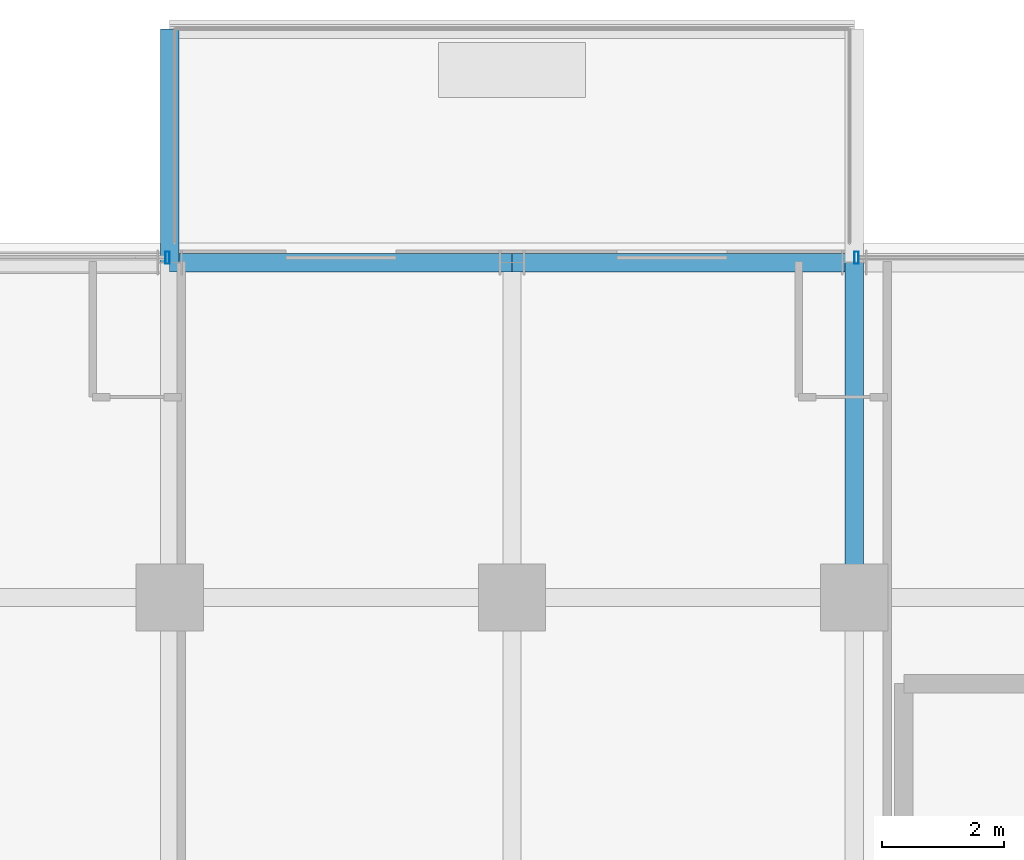
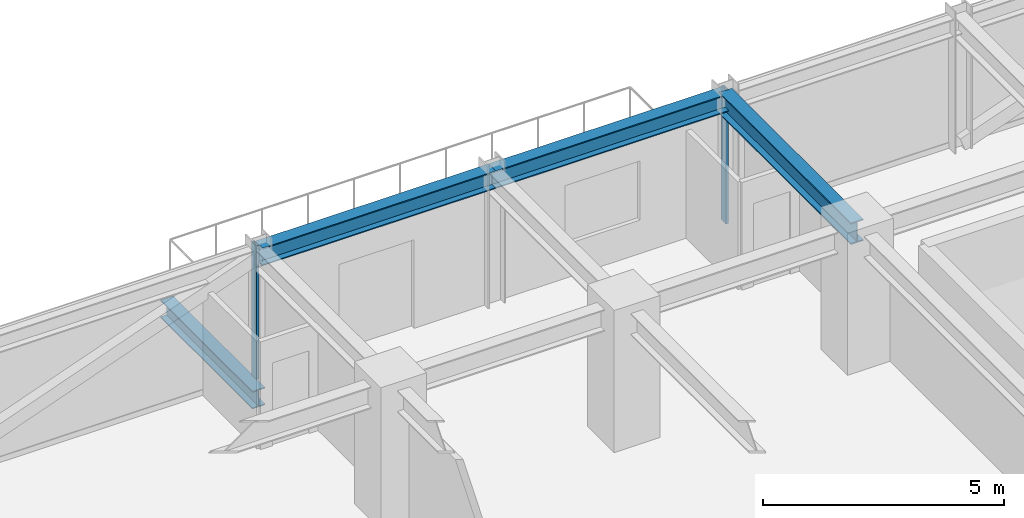
# One storey, part 26 of 43: 4 beams, 2 members, 2 elements without a shape of their own.
"""IFC4 building model written with IfcOpenShell, lengths in metres."""

from ifc_helpers import new_model, si_unit, direction, frame, origin, origin_2d, place, context, subcontext, project, spatial, hollow_rectangle, i_section, extrude, source, transform, mapped, material, material_profile, profile_set, type_object, element, aggregate, save


model = new_model("IFC4")

# Units and contexts
model_context = context("Model", 3, precision=1e-05, world=origin(), true_north=direction((0.0, 1.0)))
body_context = subcontext(model_context, "Body", "Model", "MODEL_VIEW")
ifc_project = project(units=[si_unit("LENGTHUNIT", "METRE"), si_unit("AREAUNIT", "SQUARE_METRE"), si_unit("VOLUMEUNIT", "CUBIC_METRE"), si_unit("PLANEANGLEUNIT", "RADIAN"), si_unit("MASSUNIT", "GRAM", prefix="KILO")], contexts=[model_context])

# Site, building, storey
site_placement = place(None, origin())
site = spatial("IfcSite", under=ifc_project, at=site_placement, CompositionType="ELEMENT")
building_placement = place(site_placement, origin())
building = spatial("IfcBuilding", under=site, at=building_placement, Name="Nahalor Promenade Grand Hotel", CompositionType="ELEMENT")
storey_placement = place(building_placement, frame((0.0, 0.0, 181.85009765625)))
storey = spatial("IfcBuildingStorey", under=building, at=storey_placement, Name="L46", CompositionType="ELEMENT", Elevation=181.85009765625)

# Beams
ifc_material_1 = material(Name="Steel S355JR", Category="steel")
ifc_material_profile_1 = material_profile(ifc_material_1, i_section(OverallWidth=0.3, OverallDepth=0.45, WebThickness=0.014, FlangeThickness=0.026, at=origin_2d()), Name="HEB 450")
ifc_profile_set_1 = profile_set([ifc_material_profile_1], Name="Steel S355JR")
beam_type_1 = type_object("IfcBeamType", Name="Beam-Outrigger-HEB450", PredefinedType="BEAM", material=ifc_profile_set_1)
shared_shape_1 = source(origin(), body_context, "Body", "SweptSolid", [
    extrude(i_section(OverallWidth=0.3, OverallDepth=0.45, WebThickness=0.014, FlangeThickness=0.026, at=origin_2d()), origin(), (0.0, 0.0, 1.0), 3.820068359375),
])
beam_1_placement = place(storey_placement, frame((-8.39990234375, 22.47998046875, -0.505126953125), z_axis=(0.0, 1.0, 0.0), x_axis=(-1.0, 0.0, 0.0)))
element("IfcBeam", 1, at=beam_1_placement, inside=storey, type_object=beam_type_1, Name="BM-L46-BC-01-1", PredefinedType="BEAM", context=body_context, shape_type="MappedRepresentation", body=[
    mapped(shared_shape_1, transform((0.0, 0.0, 0.0), scale=1.0)),
])
ifc_material_profile_2 = material_profile(ifc_material_1, i_section(OverallWidth=0.3, OverallDepth=0.55, WebThickness=0.015, FlangeThickness=0.029, at=origin_2d()), Name="HEB 550")
ifc_profile_set_2 = profile_set([ifc_material_profile_2], Name="Steel S355JR")
beam_type_2 = type_object("IfcBeamType", Name="Beam-Girder-HEB550", PredefinedType="BEAM", material=ifc_profile_set_2)
shared_shape_2 = source(origin(), body_context, "Body", "SweptSolid", [
    extrude(i_section(OverallWidth=0.3, OverallDepth=0.55, WebThickness=0.015, FlangeThickness=0.029, at=origin_2d()), origin(), (0.0, 0.0, 1.0), 5.47998046875),
])
beam_2_placement = place(storey_placement, frame((2.800048828125, 17.0, 3.114990234375), z_axis=(0.0, 1.0, 0.0), x_axis=(-1.0, 0.0, 0.0)))
element("IfcBeam", 2, at=beam_2_placement, inside=storey, type_object=beam_type_2, Name="BM-L46-GY-3-4", PredefinedType="BEAM", context=body_context, shape_type="MappedRepresentation", body=[
    mapped(shared_shape_2, transform((0.0, 0.0, 0.0), scale=1.0)),
])
ifc_material_profile_3 = material_profile(ifc_material_1, i_section(OverallWidth=0.3, OverallDepth=0.45, WebThickness=0.014, FlangeThickness=0.026, at=origin_2d()), Name="HEB 450")
ifc_profile_set_3 = profile_set([ifc_material_profile_3], Name="Steel S355JR")
beam_type_3 = type_object("IfcBeamType", Name="Beam-Spandrel-HEB450", PredefinedType="SPANDREL", material=ifc_profile_set_3)
shared_shape_3 = source(origin(), body_context, "Body", "SweptSolid", [
    extrude(i_section(OverallWidth=0.3, OverallDepth=0.45, WebThickness=0.014, FlangeThickness=0.026, at=origin_2d()), origin(), (0.0, 0.0, 1.0), 5.599853515625),
])
beam_3_placement = place(storey_placement, frame((-8.39990234375, 22.47998046875, 3.164794921875), z_axis=(1.0, 0.0, 0.0), x_axis=(0.0, 1.0, 0.0)))
element("IfcBeam", 3, at=beam_3_placement, inside=storey, type_object=beam_type_3, Name="BM-L46-SP-N-1", PredefinedType="SPANDREL", context=body_context, shape_type="MappedRepresentation", body=[
    mapped(shared_shape_3, transform((0.0, 0.0, 0.0), scale=1.0)),
])
shared_shape_4 = source(origin(), body_context, "Body", "SweptSolid", [
    extrude(i_section(OverallWidth=0.3, OverallDepth=0.45, WebThickness=0.014, FlangeThickness=0.026, at=origin_2d()), origin(), (0.0, 0.0, 1.0), 5.60009765625),
])
beam_4_placement = place(storey_placement, frame((-2.800048828125, 22.47998046875, 3.164794921875), z_axis=(1.0, 0.0, 0.0), x_axis=(0.0, 1.0, 0.0)))
element("IfcBeam", 4, at=beam_4_placement, inside=storey, type_object=beam_type_3, Name="BM-L46-SP-N-2", PredefinedType="SPANDREL", context=body_context, shape_type="MappedRepresentation", body=[
    mapped(shared_shape_4, transform((0.0, 0.0, 0.0), scale=1.0)),
])

# Curtain wall, member
ifc_material_2 = material(Name="Anodised Bronze Aluminium EN AW-6063 T6", Category="aluminium")
curtain_wall_type = type_object("IfcCurtainWallType", Name="CW3 Elliptical-Void Collar Unitised Curtain Wall", PredefinedType="USERDEFINED", material=ifc_material_2)
curtain_wall_1_placement = place(storey_placement, origin())
curtain_wall_1 = element("IfcCurtainWall", 5, at=curtain_wall_1_placement, inside=storey, type_object=curtain_wall_type, Name="L46 Curtain Wall CW-L46-N-1", ObjectType="UNITISED_CURTAIN_WALL", PredefinedType="USERDEFINED")
ifc_material_profile_4 = material_profile(ifc_material_2, hollow_rectangle(XDim=0.07, YDim=0.2, WallThickness=0.005, at=origin_2d()), Name="CWM 70x200x5")
ifc_profile_set_4 = profile_set([ifc_material_profile_4], Name="Anodised Bronze Aluminium EN AW-6063 T6")
member_type = type_object("IfcMemberType", Name="CWM3 Void Collar Mullion 70x200", PredefinedType="MULLION", material=ifc_profile_set_4)
shared_shape_5 = source(origin(), body_context, "Body", "SweptSolid", [
    extrude(hollow_rectangle(XDim=0.07, YDim=0.2, WallThickness=0.005, at=origin_2d()), origin(), (0.0, 0.0, 1.0), 3.389892578125),
])
member_1_placement = place(storey_placement, frame((-8.43505859375, 22.56005859375, 0.0), z_axis=(0.0, 0.0, 1.0), x_axis=(1.0, 0.0, 0.0)))
member_1 = element("IfcMember", 6, at=member_1_placement, type_object=member_type, Name="CW-L46-N-1 Mullion 1", PredefinedType="MULLION", context=body_context, shape_type="MappedRepresentation", body=[
    mapped(shared_shape_5, transform((0.0, 0.0, 0.0), scale=1.0)),
])
aggregate(curtain_wall_1, [member_1])

curtain_wall_2_placement = place(storey_placement, origin())
curtain_wall_2 = element("IfcCurtainWall", 7, at=curtain_wall_2_placement, inside=storey, type_object=curtain_wall_type, Name="L46 Curtain Wall CW-L46-N-3", ObjectType="UNITISED_CURTAIN_WALL", PredefinedType="USERDEFINED")
member_2_placement = place(storey_placement, frame((2.8349609375, 22.56005859375, 0.0), z_axis=(0.0, 0.0, 1.0), x_axis=(1.0, 0.0, 0.0)))
member_2 = element("IfcMember", 8, at=member_2_placement, type_object=member_type, Name="CW-L46-N-3 Mullion 0", PredefinedType="MULLION", context=body_context, shape_type="MappedRepresentation", body=[
    mapped(shared_shape_5, transform((0.0, 0.0, 0.0), scale=1.0)),
])
aggregate(curtain_wall_2, [member_2])

save(model, "model.ifc")
